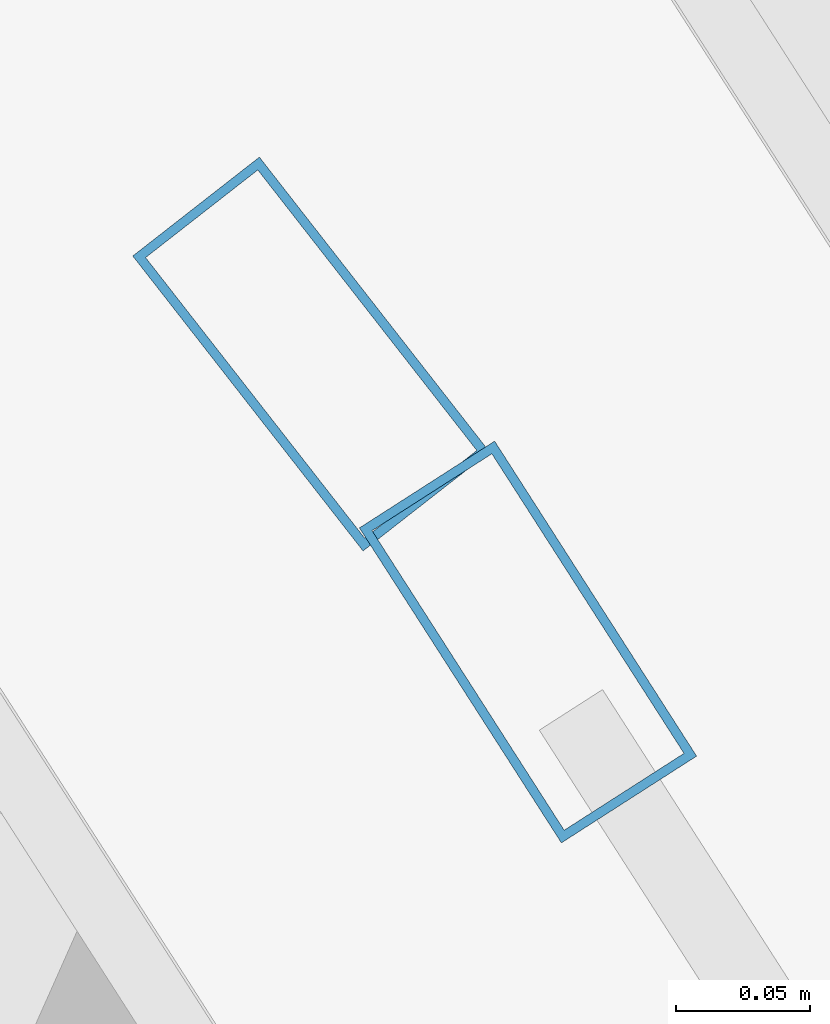
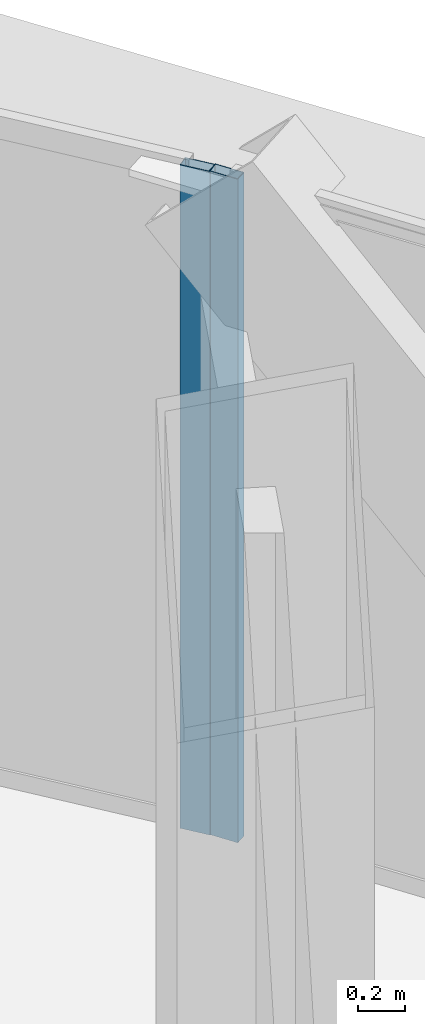
# One storey, part 26 of 37: 2 members, 2 elements without a shape of their own.
"""IFC4 building model written with IfcOpenShell, lengths in metres."""

from ifc_helpers import new_model, si_unit, direction, frame, origin, origin_2d, place, context, subcontext, project, spatial, hollow_rectangle, extrude, source, transform, mapped, material, layer, layer_set, material_profile, profile_set, type_object, element, aggregate, save


model = new_model("IFC4")

# Units and contexts
model_context = context("Model", 3, precision=1e-05, world=origin(), true_north=direction((0.0, 1.0)))
body_context = subcontext(model_context, "Body", "Model", "MODEL_VIEW")
ifc_project = project(units=[si_unit("LENGTHUNIT", "METRE"), si_unit("AREAUNIT", "SQUARE_METRE"), si_unit("VOLUMEUNIT", "CUBIC_METRE"), si_unit("PLANEANGLEUNIT", "RADIAN"), si_unit("MASSUNIT", "GRAM", prefix="KILO"), si_unit("THERMODYNAMICTEMPERATUREUNIT", "KELVIN"), si_unit("POWERUNIT", "WATT")], contexts=[model_context])

# Site, building, storey
site_placement = place(None, origin())
site = spatial("IfcSite", under=ifc_project, at=site_placement, CompositionType="ELEMENT")
building_placement = place(site_placement, origin())
building = spatial("IfcBuilding", under=site, at=building_placement, Name="Yunzhuo Pagoda Commons", CompositionType="ELEMENT")
storey_placement = place(building_placement, frame((0.0, 0.0, 251.989990234375)))
storey = spatial("IfcBuildingStorey", under=building, at=storey_placement, Name="L63", CompositionType="ELEMENT", Elevation=251.989990234375)

# Curtain wall, member
ifc_material = material(Name="Anodized aluminium 6063-T6", Category="aluminium")
ifc_layer = layer(ifc_material, 0.139892578125)
ifc_layer_set = layer_set([ifc_layer], Name="Anodized aluminium 6063-T6")
curtain_wall_type = type_object("IfcCurtainWallType", Name="CW-HI High-Zone Ribbon Curtain Wall", PredefinedType="NOTDEFINED", material=ifc_layer_set)
curtain_wall_1_placement = place(storey_placement, origin())
curtain_wall_1 = element("IfcCurtainWall", 1, at=curtain_wall_1_placement, inside=storey, type_object=curtain_wall_type, Name="L63 curtain wall CW-L63-F2B4", PredefinedType="NOTDEFINED")
ifc_material_profile = material_profile(ifc_material, hollow_rectangle(XDim=0.06005859375, YDim=0.139892578125, WallThickness=0.00341796875, at=origin_2d()), Name="Anodized aluminium 6063-T6")
ifc_profile_set = profile_set([ifc_material_profile], Name="Anodized aluminium 6063-T6")
member_type = type_object("IfcMemberType", Name="CW-HI-M Mullion RHS 140x60x3.5", PredefinedType="MULLION", material=ifc_profile_set)
shared_shape = source(origin(), body_context, "Body", "SweptSolid", [
    extrude(hollow_rectangle(XDim=0.06005859375, YDim=0.139892578125, WallThickness=0.00341796875, at=origin_2d()), origin(), (0.0, 0.0, 1.0), 3.469970703125),
])
member_1_placement = place(storey_placement, frame((62.173095703125, 65.4716796875, 0.0), z_axis=(0.0, 0.0, 1.0), x_axis=(-0.841750083847, -0.539867387738, 0.0)))
member_1 = element("IfcMember", 2, at=member_1_placement, type_object=member_type, Name="CW mullion 2", PredefinedType="MULLION", context=body_context, shape_type="MappedRepresentation", body=[
    mapped(shared_shape, transform((0.0, 0.0, 0.0), scale=1.0)),
])
aggregate(curtain_wall_1, [member_1])

curtain_wall_2_placement = place(storey_placement, origin())
curtain_wall_2 = element("IfcCurtainWall", 3, at=curtain_wall_2_placement, inside=storey, type_object=curtain_wall_type, Name="L63 curtain wall CW-L63-F2B5", PredefinedType="NOTDEFINED")
member_2_placement = place(storey_placement, frame((62.092041015625, 65.579345703125, 0.0), z_axis=(0.0, 0.0, 1.0), x_axis=(-0.788189580024, -0.615432519405, 0.0)))
member_2 = element("IfcMember", 4, at=member_2_placement, type_object=member_type, Name="CW mullion 1", PredefinedType="MULLION", context=body_context, shape_type="MappedRepresentation", body=[
    mapped(shared_shape, transform((0.0, 0.0, 0.0), scale=1.0)),
])
aggregate(curtain_wall_2, [member_2])

save(model, "model.ifc")
